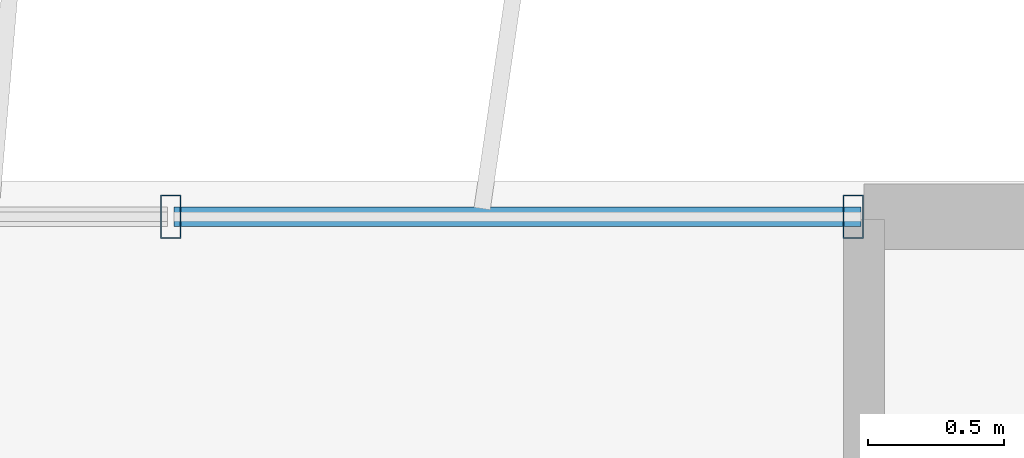
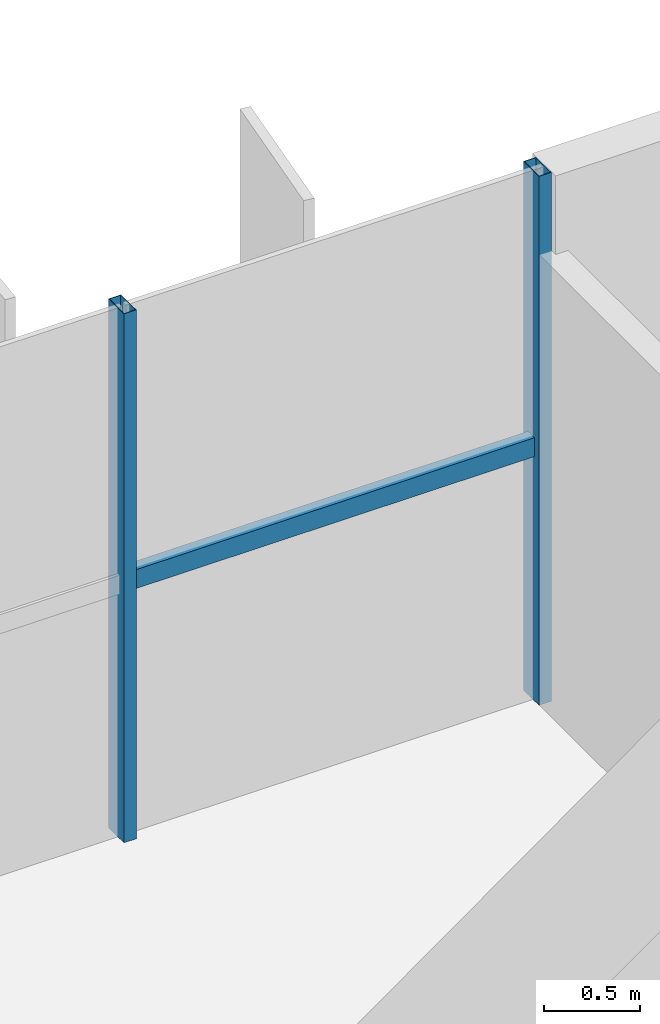
# One storey, part 14 of 21: 3 members, 1 element without a shape of its own.
"""IFC4 building model written with IfcOpenShell, lengths in metres."""

from ifc_helpers import new_model, si_unit, direction, frame, origin, origin_2d, place, context, subcontext, project, spatial, hollow_rectangle, extrude, source, transform, mapped, material, material_profile, profile_set, type_object, element, aggregate, save


model = new_model("IFC4")

# Units and contexts
model_context = context("Model", 3, precision=1e-05, world=origin(), true_north=direction((0.0, 1.0)))
body_context = subcontext(model_context, "Body", "Model", "MODEL_VIEW")
ifc_project = project(units=[si_unit("LENGTHUNIT", "METRE"), si_unit("AREAUNIT", "SQUARE_METRE"), si_unit("VOLUMEUNIT", "CUBIC_METRE"), si_unit("PLANEANGLEUNIT", "RADIAN"), si_unit("MASSUNIT", "GRAM", prefix="KILO")], contexts=[model_context])

# Site, building, storey
site_placement = place(None, origin())
site = spatial("IfcSite", under=ifc_project, at=site_placement, CompositionType="ELEMENT")
building_placement = place(site_placement, origin())
building = spatial("IfcBuilding", under=site, at=building_placement, Name="Trelvane Seafront Commons", CompositionType="ELEMENT")
storey_placement = place(building_placement, frame((0.0, 0.0, 252.300048828125)))
storey = spatial("IfcBuildingStorey", under=building, at=storey_placement, Name="L65", CompositionType="ELEMENT", Elevation=252.300048828125)

# Curtain wall, members
ifc_material = material(Name="Anodised pale-silver aluminium", Category="aluminium")
curtain_wall_type = type_object("IfcCurtainWallType", Name="ARCH-CW5-UPTOWER", PredefinedType="NOTDEFINED", material=ifc_material)
curtain_wall_placement = place(storey_placement, origin())
curtain_wall = element("IfcCurtainWall", 1, at=curtain_wall_placement, inside=storey, type_object=curtain_wall_type, Name="CW-L65-0109", PredefinedType="NOTDEFINED")
ifc_material_profile_1 = material_profile(ifc_material, hollow_rectangle(XDim=0.070068359375, YDim=0.1201171875, WallThickness=0.00390625, at=origin_2d()), Name="TRAN-70x120x4")
ifc_profile_set_1 = profile_set([ifc_material_profile_1], Name="Anodised pale-silver aluminium")
member_type_1 = type_object("IfcMemberType", Name="ARCH-CW-TRAN-120", PredefinedType="USERDEFINED", material=ifc_profile_set_1)
shared_shape_1 = source(origin(), body_context, "Body", "SweptSolid", [
    extrude(hollow_rectangle(XDim=0.070068359375, YDim=0.1201171875, WallThickness=0.00390625, at=origin_2d()), origin(), (0.0, 0.0, 1.0), 2.517333984375),
])
member_1_placement = place(storey_placement, frame((56.270751953125, 48.3701171875, 1.617919921875), z_axis=(1.0, 0.0, 0.0), x_axis=(0.0, 1.0, 0.0)))
member_1 = element("IfcMember", 2, at=member_1_placement, type_object=member_type_1, Name="CW-L65-0109-T16", ObjectType="TRANSOM", PredefinedType="USERDEFINED", context=body_context, shape_type="MappedRepresentation", body=[
    mapped(shared_shape_1, transform((0.0, 0.0, 0.0), x_axis=(1.0, 0.0, 0.0), y_axis=(0.0, 1.0, 0.0), z_axis=(0.0, 0.0, 1.0), scale=1.0)),
])
ifc_material_profile_2 = material_profile(ifc_material, hollow_rectangle(XDim=0.074951171875, YDim=0.159912109375, WallThickness=0.00390625, at=origin_2d()), Name="MULL-75x160x4")
ifc_profile_set_2 = profile_set([ifc_material_profile_2], Name="Anodised pale-silver aluminium")
member_type_2 = type_object("IfcMemberType", Name="ARCH-CW-MULL-160", PredefinedType="MULLION", material=ifc_profile_set_2)
shared_shape_2 = source(origin(), body_context, "Body", "SweptSolid", [
    extrude(hollow_rectangle(XDim=0.074951171875, YDim=0.159912109375, WallThickness=0.00390625, at=origin_2d()), origin(), (0.0, 0.0, 1.0), 3.369873046875),
])
member_2_placement = place(storey_placement, frame((56.2587890625, 48.3701171875, 0.0), z_axis=(0.0, 0.0, 1.0), x_axis=(1.0, 0.0, 0.0)))
member_2 = element("IfcMember", 3, at=member_2_placement, type_object=member_type_2, Name="CW-L65-0109-M16", PredefinedType="MULLION", context=body_context, shape_type="MappedRepresentation", body=[
    mapped(shared_shape_2, transform((0.0, 0.0, 0.0), x_axis=(1.0, 0.0, 0.0), y_axis=(0.0, 1.0, 0.0), z_axis=(0.0, 0.0, 1.0), scale=1.0)),
])
member_3_placement = place(storey_placement, frame((58.760009765625, 48.3701171875, 0.0), z_axis=(0.0, 0.0, 1.0), x_axis=(1.0, 0.0, 0.0)))
member_3 = element("IfcMember", 4, at=member_3_placement, type_object=member_type_2, Name="CW-L65-0109-M17", PredefinedType="MULLION", context=body_context, shape_type="MappedRepresentation", body=[
    mapped(shared_shape_2, transform((0.0, 0.0, 0.0), x_axis=(1.0, 0.0, 0.0), y_axis=(0.0, 1.0, 0.0), z_axis=(0.0, 0.0, 1.0), scale=1.0)),
])
aggregate(curtain_wall, [member_2, member_3, member_1])

save(model, "model.ifc")
